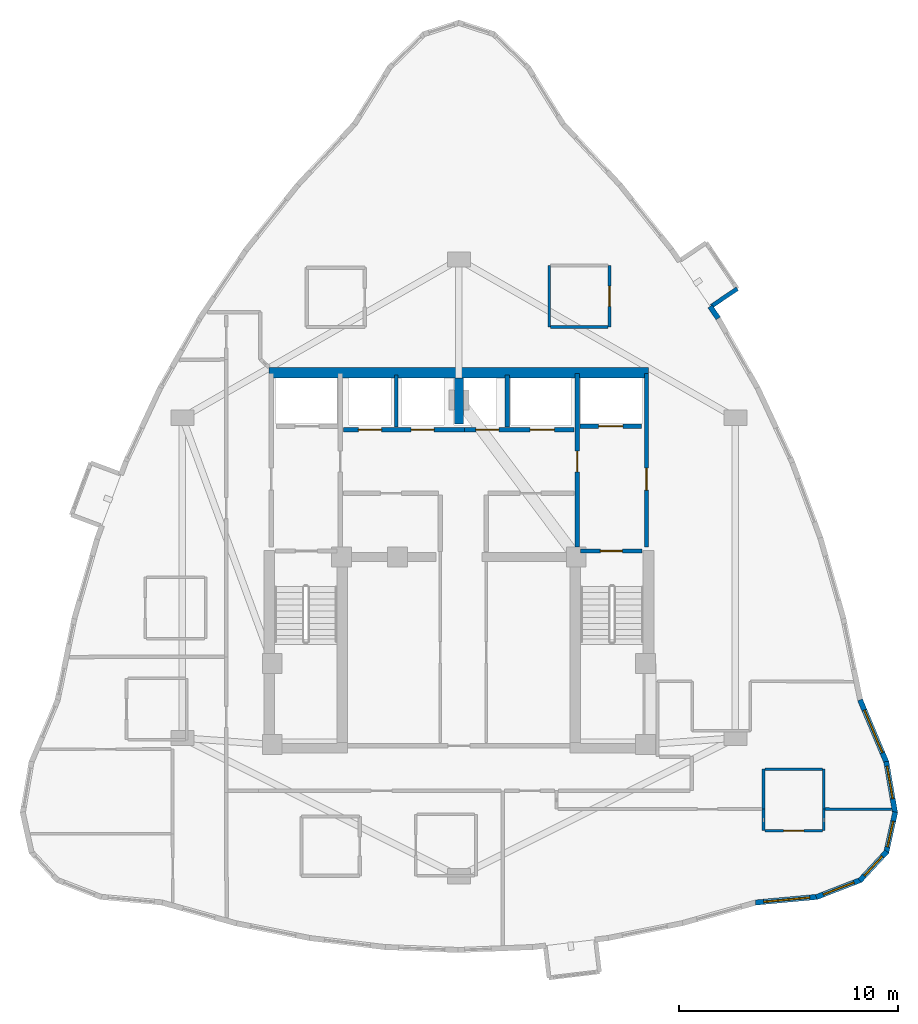
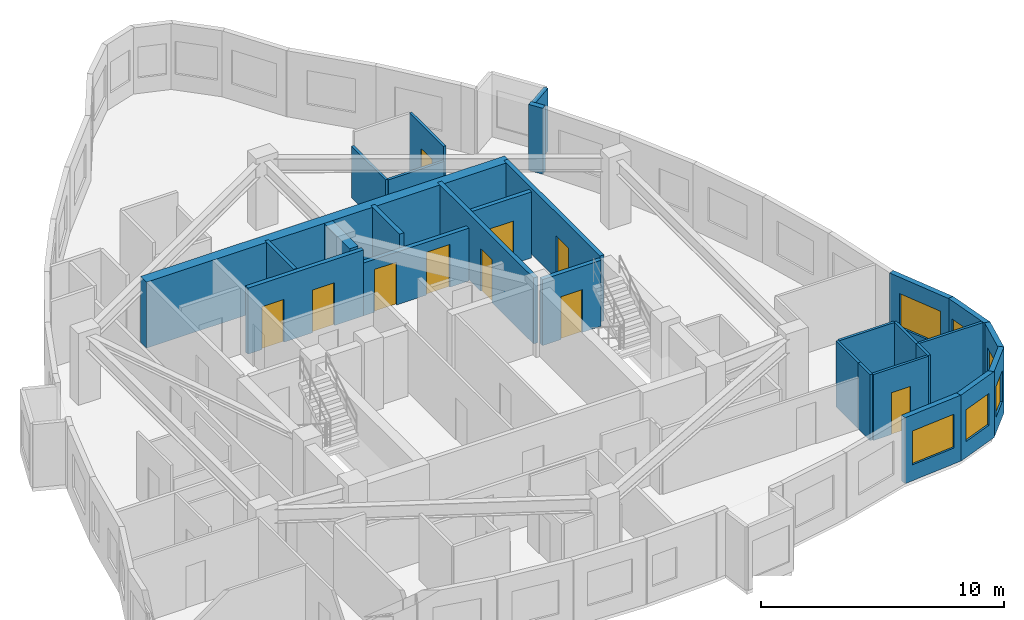
# One storey, part 9 of 12: 28 walls, 10 doors, 6 windows, 16 openings.
"""IFC4 building model written with IfcOpenShell, lengths in metres."""

import ifcopenshell
import ifcopenshell.guid

model = None  # the IFC model being written
_history = None  # IfcOwnerHistory: only IFC2X3 demands one
_inside = {}  # id of a spatial element -> (the spatial element, [elements in it])
_under = {}  # id of a project, library or spatial element -> (it, [spatial elements below it])
_declared = {}  # id of a project -> (the project, [libraries it declares])
_typed = {}  # id of a type object -> (the type object, [elements of that type])
_made_of = {}  # id of a material, layer set ... -> (it, [elements and type objects made of it])


def new_model(schema):
    """Start an empty IFC model of exactly this schema.

    Asked for "IFC4X3", IfcOpenShell would pick the latest addendum, in which some entities
    have other attributes; the version numbers below select the first issue.
    IFC2X3 requires an IfcOwnerHistory on every rooted entity: one is made here for all.
    """
    global model, _history
    if schema == "IFC4X3":
        model = ifcopenshell.file(schema_version=(4, 3, 0, 0))
    else:
        model = ifcopenshell.file(schema=schema)
    _inside.clear()
    _under.clear()
    _declared.clear()
    _typed.clear()
    _made_of.clear()
    _history = None
    if model.schema == "IFC2X3":
        org = make("IfcOrganization", Name="unknown")
        user = make(
            "IfcPersonAndOrganization",
            ThePerson=make("IfcPerson", FamilyName="unknown"),
            TheOrganization=org,
        )
        app = make(
            "IfcApplication",
            ApplicationDeveloper=org,
            Version="unknown",
            ApplicationFullName="unknown",
            ApplicationIdentifier="unknown",
        )
        _history = make(
            "IfcOwnerHistory",
            OwningUser=user,
            OwningApplication=app,
            ChangeAction="ADDED",
            CreationDate=0,
        )
    return model


def make(cls, **values):
    """One entity of the class cls with the attributes given. An attribute that is None is left unset."""
    return model.create_entity(
        cls, **{name: value for name, value in values.items() if value is not None}
    )


def rooted(cls, **values):
    """An entity with a GlobalId (a new one), such as an element, a storey or a relation."""
    return make(cls, GlobalId=ifcopenshell.guid.new(), OwnerHistory=_history, **values)


def si_unit(unit_type, name, prefix=None):
    """IfcSIUnit, for example si_unit("LENGTHUNIT", "METRE", prefix="MILLI")."""
    return make("IfcSIUnit", UnitType=unit_type, Prefix=prefix, Name=name)


def assignment(units):
    """IfcUnitAssignment: the units of a project."""
    return None if units is None else make("IfcUnitAssignment", Units=units)


def point(xyz):
    """IfcCartesianPoint."""
    return None if xyz is None else make("IfcCartesianPoint", Coordinates=xyz)


def direction(xyz):
    """IfcDirection."""
    return None if xyz is None else make("IfcDirection", DirectionRatios=xyz)


def frame(location, z_axis=None, x_axis=None):
    """IfcAxis2Placement3D, a coordinate frame: its origin and axes. An axis left out is left unset."""
    return make(
        "IfcAxis2Placement3D",
        Location=point(location),
        Axis=direction(z_axis),
        RefDirection=direction(x_axis),
    )


def frame_2d(location, x_axis=None):
    """IfcAxis2Placement2D, a coordinate frame in the plane: its origin and x axis."""
    return make(
        "IfcAxis2Placement2D", Location=point(location), RefDirection=direction(x_axis)
    )


def origin():
    """The frame at (0, 0, 0) with its axes left unset."""
    return frame((0.0, 0.0, 0.0))


def place(relative_to, where):
    """IfcLocalPlacement: puts the frame where relative to a parent placement (None: the world)."""
    return make(
        "IfcLocalPlacement", PlacementRelTo=relative_to, RelativePlacement=where
    )


def context(
    kind, dimensions, precision=None, world=None, true_north=None, identifier=None
):
    """IfcGeometricRepresentationContext, for example the 3D "Model" context."""
    return make(
        "IfcGeometricRepresentationContext",
        ContextIdentifier=identifier,
        ContextType=kind,
        CoordinateSpaceDimension=dimensions,
        Precision=precision,
        WorldCoordinateSystem=world,
        TrueNorth=true_north,
    )


def subcontext(parent, identifier, kind, view, scale=None):
    """IfcGeometricRepresentationSubContext, for example "Body" below "Model"."""
    return make(
        "IfcGeometricRepresentationSubContext",
        ContextIdentifier=identifier,
        ContextType=kind,
        ParentContext=parent,
        TargetScale=scale,
        TargetView=view,
    )


def project(units=None, contexts=None):
    """IfcProject with its units and contexts."""
    return rooted(
        "IfcProject",
        Name="project",
        RepresentationContexts=contexts,
        UnitsInContext=assignment(units),
    )


def spatial(cls, under=None, at=None, **own):
    """A site, building, storey or space (cls), placed at a placement, below another one or the project."""
    s = rooted(cls, ObjectPlacement=at, **own)
    if under is not None:
        _under.setdefault(under.id(), (under, []))[1].append(s)
    return s


def profile(cls, at=None, kind="AREA", **sizes):
    """A parametric profile (cls). Its sizes go by their IFC names, for example OverallWidth=200.0."""
    return make(cls, ProfileType=kind, Position=at, **sizes)


def rectangle(**sizes):
    """IfcRectangleProfileDef."""
    return profile("IfcRectangleProfileDef", **sizes)


def extrude(swept, where, along, depth):
    """IfcExtrudedAreaSolid: the profile swept, set in the frame where, extruded along a direction by depth."""
    return make(
        "IfcExtrudedAreaSolid",
        SweptArea=swept,
        Position=where,
        ExtrudedDirection=direction(along),
        Depth=depth,
    )


def shape(context_of_items, identifier, shape_type, items):
    """IfcShapeRepresentation: the items that make up one representation, for example the "Body"."""
    return make(
        "IfcShapeRepresentation",
        ContextOfItems=context_of_items,
        RepresentationIdentifier=identifier,
        RepresentationType=shape_type,
        Items=items,
    )


def material(Name=None, Category=None):
    """IfcMaterial."""
    return make("IfcMaterial", Name=Name, Category=Category)


def layer(
    of_material, thickness, ventilated=None, Name=None, Category=None, Priority=None
):
    """IfcMaterialLayer: one layer of a wall or slab, of a material (None: an air gap)."""
    return make(
        "IfcMaterialLayer",
        Material=of_material,
        LayerThickness=thickness,
        IsVentilated=ventilated,
        Name=Name,
        Category=Category,
        Priority=Priority,
    )


def layer_set(layers, Name=None):
    """IfcMaterialLayerSet."""
    return make("IfcMaterialLayerSet", MaterialLayers=layers, LayerSetName=Name)


def made_of(thing, what):
    """Note that an element or type object is made of a material, layer set ...; save() writes the relation."""
    if what is not None:
        _made_of.setdefault(what.id(), (what, []))[1].append(thing)
    return thing


def type_object(cls, material=None, **own):
    """A type object (cls), such as IfcWallType, which elements share."""
    return made_of(rooted(cls, **own), material)


def element(
    cls,
    number,
    at=None,
    inside=None,
    cuts=None,
    type_object=None,
    material=None,
    context=None,
    identifier="Body",
    shape_type=None,
    held_by="IfcProductDefinitionShape",
    body=None,
    shapes=None,
    **own,
):
    """One element of the class cls, such as IfcWall. Its Tag is "e" and its number.

    at: its placement. inside: the storey or other place that contains it. cuts: it is an
    opening in that element (IfcRelVoidsElement). A single representation is given by context,
    identifier, shape_type and body (its items); several are given by shapes. held_by: the class
    of the entity that holds the representations. save() writes the other relations.
    """
    e = rooted(cls, Tag="e%d" % number, ObjectPlacement=at, **own)
    if body is not None:
        shapes = [shape(context, identifier, shape_type, body)]
    if shapes is not None:
        e.Representation = make(held_by, Representations=shapes)
    if inside is not None:
        _inside.setdefault(inside.id(), (inside, []))[1].append(e)
    if cuts is not None:
        rooted(
            "IfcRelVoidsElement", RelatingBuildingElement=cuts, RelatedOpeningElement=e
        )
    if type_object is not None:
        _typed.setdefault(type_object.id(), (type_object, []))[1].append(e)
    return made_of(e, material)


def fill(opening, filler):
    """IfcRelFillsElement: the door or window that sits in an opening."""
    return rooted(
        "IfcRelFillsElement",
        RelatingOpeningElement=opening,
        RelatedBuildingElement=filler,
    )


def aggregate(whole, parts):
    """IfcRelAggregates: a whole, such as a stair, and the parts it consists of."""
    return rooted("IfcRelAggregates", RelatingObject=whole, RelatedObjects=parts)


def save(model, path):
    """Write the relations noted so far, then the file.

    IfcRelAggregates (storeys below a building ...), IfcRelContainedInSpatialStructure (elements
    in a storey), IfcRelDefinesByType, IfcRelAssociatesMaterial and IfcRelDeclares: one each for
    every whole, place, type object, material and project.
    """
    for whole, parts in _under.values():
        aggregate(whole, parts)
    for where, things in _inside.values():
        rooted(
            "IfcRelContainedInSpatialStructure",
            RelatedElements=things,
            RelatingStructure=where,
        )
    for kind, things in _typed.values():
        rooted("IfcRelDefinesByType", RelatedObjects=things, RelatingType=kind)
    for what, things in _made_of.values():
        rooted("IfcRelAssociatesMaterial", RelatedObjects=things, RelatingMaterial=what)
    for by, libraries in _declared.values():
        rooted("IfcRelDeclares", RelatingContext=by, RelatedDefinitions=libraries)
    model.write(path)


model = new_model("IFC4")

# Units and contexts
model_context = context("Model", 3, precision=1e-05, world=origin(), true_north=direction((0.0, 1.0)))
body_context = subcontext(model_context, "Body", "Model", "MODEL_VIEW")
ifc_project = project(units=[si_unit("LENGTHUNIT", "METRE"), si_unit("AREAUNIT", "SQUARE_METRE"), si_unit("VOLUMEUNIT", "CUBIC_METRE"), si_unit("PLANEANGLEUNIT", "RADIAN"), si_unit("MASSUNIT", "GRAM", prefix="KILO")], contexts=[model_context])

# Site, building, storey
site_placement = place(None, origin())
site = spatial("IfcSite", under=ifc_project, at=site_placement, CompositionType="ELEMENT")
building_placement = place(site_placement, origin())
building = spatial("IfcBuilding", under=site, at=building_placement, Name="Miruveldt Soraemaru", CompositionType="ELEMENT")
storey_placement = place(building_placement, frame((0.0, 0.0, 248.39990234375)))
storey = spatial("IfcBuildingStorey", under=building, at=storey_placement, Name="L68", CompositionType="ELEMENT", Elevation=248.39990234375)

# Walls
ifc_material_1 = material(Name="White powder-coated aluminium EN AW-6060 T6", Category="aluminium")
ifc_layer_1 = layer(ifc_material_1, 0.18994140625, Name="White powder-coated aluminium EN AW-6060 T6", Category="aluminium")
ifc_layer_set_1 = layer_set([ifc_layer_1], Name="White powder-coated aluminium EN AW-6060 T6")
wall_type_1 = type_object("IfcWallType", Name="WALL-BAY-ALU190", PredefinedType="SOLIDWALL", material=ifc_layer_set_1)
wall_1_placement = place(storey_placement, frame((55.50732421875, 55.473876953125, 0.0), z_axis=(0.0, 0.0, 1.0), x_axis=(0.82794178844, 0.560814046681, 0.0)))
element("IfcWall", 1, at=wall_1_placement, inside=storey, type_object=wall_type_1, Name="L68 Bay Window Side Cheek 2L", PredefinedType="SOLIDWALL", context=body_context, shape_type="SweptSolid", body=[
    extrude(rectangle(XDim=1.4248046875, YDim=0.18994140625, at=frame_2d((0.71240234375, 0.0))), origin(), (0.0, 0.0, 1.0), 3.1650390625),
])
ifc_material_2 = material(Name="Concrete C70/85 (70 MPa)", Category="concrete")
ifc_layer_2 = layer(ifc_material_2, 0.5, Name="Concrete C70/85 (70 MPa)", Category="concrete")
ifc_layer_set_2 = layer_set([ifc_layer_2], Name="Concrete C70/85 (70 MPa)")
wall_type_2 = type_object("IfcWallType", Name="WALL-BW-500", PredefinedType="SHEAR", material=ifc_layer_set_2)
wall_2_placement = place(storey_placement, frame((44.0, 50.10009765625, 0.0), z_axis=(0.0, 0.0, 1.0), x_axis=(0.0, 1.0, 0.0)))
element("IfcWall", 2, at=wall_2_placement, inside=storey, type_object=wall_type_2, Name="L68 Core Buttress Shear Wall BN", PredefinedType="SHEAR", context=body_context, shape_type="SweptSolid", body=[
    extrude(rectangle(XDim=2.099853515625, YDim=0.39990234375, at=frame_2d((1.0498046875, 0.0))), origin(), (0.0, 0.0, 1.0), 3.315185546875),
])
ifc_material_3 = material(Name="Concrete C60/75 (60 MPa)", Category="concrete")
ifc_layer_3 = layer(ifc_material_3, 0.47998046875, Name="Concrete C60/75 (60 MPa)", Category="concrete")
ifc_layer_set_3 = layer_set([ifc_layer_3], Name="Concrete C60/75 (60 MPa)")
wall_type_3 = type_object("IfcWallType", Name="WALL-CW-480", PredefinedType="SHEAR", material=ifc_layer_set_3)
wall_3_placement = place(storey_placement, frame((35.35009765625, 52.449951171875, 0.0), z_axis=(0.0, 0.0, 1.0), x_axis=(1.0, 0.0, 0.0)))
element("IfcWall", 3, at=wall_3_placement, inside=storey, type_object=wall_type_3, Name="L68 Central Core Shear Wall N", PredefinedType="SHEAR", context=body_context, shape_type="SweptSolid", body=[
    extrude(rectangle(XDim=17.2998046875, YDim=0.47998046875, at=frame_2d((8.64990234375, 0.0))), origin(), (0.0, 0.0, 1.0), 3.315185546875),
])

# Wall, opening, window
ifc_material_4 = material(Name="Precast concrete C45/55 (45 MPa)", Category="concrete")
ifc_layer_4 = layer(ifc_material_4, 0.239990234375, Name="Precast concrete C45/55 (45 MPa)", Category="concrete")
ifc_layer_set_4 = layer_set([ifc_layer_4], Name="Precast concrete C45/55 (45 MPa)")
wall_type_4 = type_object("IfcWallType", Name="WALL-EXT-PC240", PredefinedType="SOLIDWALL", material=ifc_layer_set_4)
wall_4_placement = place(storey_placement, frame((57.514892578125, 28.30078125, 0.0), z_axis=(0.0, 0.0, 1.0), x_axis=(0.995763661797, 0.091949604915, 0.0)))
wall_4 = element("IfcWall", 4, at=wall_4_placement, inside=storey, type_object=wall_type_4, Name="L68 Precast Concrete Facade Wall 29", PredefinedType="SOLIDWALL", context=body_context, shape_type="SweptSolid", body=[
    extrude(rectangle(XDim=2.848876953125, YDim=0.239990234375, at=frame_2d((1.42431640625, 0.0))), origin(), (0.0, 0.0, 1.0), 3.315185546875),
])
opening_1_placement = place(wall_4_placement, frame((0.375, 0.0, 0.800048828125)))
opening_1 = element("IfcOpeningElement", 5, at=opening_1_placement, cuts=wall_4, Name="Opening WN-1", PredefinedType="OPENING", context=body_context, shape_type="SweptSolid", body=[
    extrude(rectangle(XDim=2.10009765625, YDim=1.699951171875, at=frame_2d((1.050048828125, 0.85009765625))), frame((0.0, 0.1298828125, 0.0), z_axis=(0.0, -1.0, 0.0), x_axis=(1.0, 0.0, 0.0)), (0.0, 0.0, 1.0), 0.260009765625),
])
ifc_material_5 = material(Name="Triple low-e insulated glazing", Category="glass")
window_type_1 = type_object("IfcWindowType", Name="WIN-PUNCH-2100x1700", PartitioningType="SINGLE_PANEL", PredefinedType="WINDOW", material=ifc_material_5)
window_1_placement = place(opening_1_placement, origin())
window_1 = element("IfcWindow", 6, at=window_1_placement, inside=storey, type_object=window_type_1, Name="L68 Punched Triple-Glazed Window 29.1", OverallHeight=1.699951171875, OverallWidth=2.10009765625, PartitioningType="SINGLE_PANEL", PredefinedType="WINDOW", context=body_context, shape_type="SweptSolid", body=[
    extrude(rectangle(XDim=2.10009765625, YDim=1.699951171875, at=frame_2d((1.050048828125, 0.85009765625))), frame((0.0, 0.030029296875, 0.0), z_axis=(0.0, -1.0, 0.0), x_axis=(1.0, 0.0, 0.0)), (0.0, 0.0, 1.0), 0.06005859375),
])
fill(opening_1, window_1)

wall_5_placement = place(storey_placement, frame((60.2841796875, 28.546875, 0.0), z_axis=(0.0, 0.0, 1.0), x_axis=(0.932263874354, 0.361779032801, 0.0)))
wall_5 = element("IfcWall", 7, at=wall_5_placement, inside=storey, type_object=wall_type_4, Name="L68 Precast Concrete Facade Wall 30", PredefinedType="SOLIDWALL", context=body_context, shape_type="SweptSolid", body=[
    extrude(rectangle(XDim=2.18994140625, YDim=0.239990234375, at=frame_2d((1.094970703125, 0.0))), origin(), (0.0, 0.0, 1.0), 3.315185546875),
])
opening_2_placement = place(wall_5_placement, frame((0.344970703125, 0.0, 0.800048828125)))
opening_2 = element("IfcOpeningElement", 8, at=opening_2_placement, cuts=wall_5, Name="Opening WN-3", PredefinedType="OPENING", context=body_context, shape_type="SweptSolid", body=[
    extrude(rectangle(XDim=1.5, YDim=1.60009765625, at=frame_2d((0.75, 0.800048828125))), frame((0.0, 0.1298828125, 0.0), z_axis=(0.0, -1.0, 0.0), x_axis=(1.0, 0.0, 0.0)), (0.0, 0.0, 1.0), 0.260009765625),
])
window_type_2 = type_object("IfcWindowType", Name="WIN-PUNCH-1500x1600", PartitioningType="SINGLE_PANEL", PredefinedType="WINDOW", material=ifc_material_5)
window_2_placement = place(opening_2_placement, origin())
window_2 = element("IfcWindow", 9, at=window_2_placement, inside=storey, type_object=window_type_2, Name="L68 Punched Triple-Glazed Window 30.1", OverallHeight=1.60009765625, OverallWidth=1.5, PartitioningType="SINGLE_PANEL", PredefinedType="WINDOW", context=body_context, shape_type="SweptSolid", body=[
    extrude(rectangle(XDim=1.5, YDim=1.60009765625, at=frame_2d((0.75, 0.800048828125))), frame((0.0, 0.030029296875, 0.0), z_axis=(0.0, -1.0, 0.0), x_axis=(1.0, 0.0, 0.0)), (0.0, 0.0, 1.0), 0.06005859375),
])
fill(opening_2, window_2)

wall_6_placement = place(storey_placement, frame((62.269287109375, 29.30078125, 0.0), z_axis=(0.0, 0.0, 1.0), x_axis=(0.680223831063, 0.733004460869, 0.0)))
wall_6 = element("IfcWall", 10, at=wall_6_placement, inside=storey, type_object=wall_type_4, Name="L68 Precast Concrete Facade Wall 31", PredefinedType="SOLIDWALL", context=body_context, shape_type="SweptSolid", body=[
    extrude(rectangle(XDim=1.813232421875, YDim=0.239990234375, at=frame_2d((0.90673828125, 0.0))), origin(), (0.0, 0.0, 1.0), 3.315185546875),
])
opening_3_placement = place(wall_6_placement, frame((0.305908203125, 0.0, 0.780029296875)))
opening_3 = element("IfcOpeningElement", 11, at=opening_3_placement, cuts=wall_6, Name="Opening WN-4", PredefinedType="OPENING", context=body_context, shape_type="SweptSolid", body=[
    extrude(rectangle(XDim=1.199951171875, YDim=1.550048828125, at=frame_2d((0.60009765625, 0.77490234375))), frame((0.0, 0.1298828125, 0.0), z_axis=(0.0, -1.0, 0.0), x_axis=(1.0, 0.0, 0.0)), (0.0, 0.0, 1.0), 0.260009765625),
])
window_type_3 = type_object("IfcWindowType", Name="WIN-PUNCH-1200x1550", PartitioningType="SINGLE_PANEL", PredefinedType="WINDOW", material=ifc_material_5)
window_3_placement = place(opening_3_placement, origin())
window_3 = element("IfcWindow", 12, at=window_3_placement, inside=storey, type_object=window_type_3, Name="L68 Punched Triple-Glazed Window 31.1", OverallHeight=1.550048828125, OverallWidth=1.199951171875, PartitioningType="SINGLE_PANEL", PredefinedType="WINDOW", context=body_context, shape_type="SweptSolid", body=[
    extrude(rectangle(XDim=1.199951171875, YDim=1.550048828125, at=frame_2d((0.60009765625, 0.77490234375))), frame((0.0, 0.030029296875, 0.0), z_axis=(0.0, -1.0, 0.0), x_axis=(1.0, 0.0, 0.0)), (0.0, 0.0, 1.0), 0.06005859375),
])
fill(opening_3, window_3)

wall_7_placement = place(storey_placement, frame((63.47119140625, 30.570068359375, 0.0), z_axis=(0.0, 0.0, 1.0), x_axis=(0.215870380253, 0.976422029109, 0.0)))
wall_7 = element("IfcWall", 13, at=wall_7_placement, inside=storey, type_object=wall_type_4, Name="L68 Precast Concrete Facade Wall 32", PredefinedType="SOLIDWALL", context=body_context, shape_type="SweptSolid", body=[
    extrude(rectangle(XDim=1.90234375, YDim=0.239990234375, at=frame_2d((0.951171875, 0.0))), origin(), (0.0, 0.0, 1.0), 3.315185546875),
])
opening_4_placement = place(wall_7_placement, frame((0.27392578125, 0.0, 0.780029296875)))
opening_4 = element("IfcOpeningElement", 14, at=opening_4_placement, cuts=wall_7, Name="Opening WN-4", PredefinedType="OPENING", context=body_context, shape_type="SweptSolid", body=[
    extrude(rectangle(XDim=1.199951171875, YDim=1.550048828125, at=frame_2d((0.60009765625, 0.77490234375))), frame((0.0, 0.1298828125, 0.0), z_axis=(0.0, -1.0, 0.0), x_axis=(1.0, 0.0, 0.0)), (0.0, 0.0, 1.0), 0.260009765625),
])
window_4_placement = place(opening_4_placement, origin())
window_4 = element("IfcWindow", 15, at=window_4_placement, inside=storey, type_object=window_type_3, Name="L68 Punched Triple-Glazed Window 32.1", OverallHeight=1.550048828125, OverallWidth=1.199951171875, PartitioningType="SINGLE_PANEL", PredefinedType="WINDOW", context=body_context, shape_type="SweptSolid", body=[
    extrude(rectangle(XDim=1.199951171875, YDim=1.550048828125, at=frame_2d((0.60009765625, 0.77490234375))), frame((0.0, 0.030029296875, 0.0), z_axis=(0.0, -1.0, 0.0), x_axis=(1.0, 0.0, 0.0)), (0.0, 0.0, 1.0), 0.06005859375),
])
fill(opening_4, window_4)

wall_8_placement = place(storey_placement, frame((63.880126953125, 32.35888671875, 0.0), z_axis=(0.0, 0.0, 1.0), x_axis=(-0.169386591994, 0.985549685431, 0.0)))
wall_8 = element("IfcWall", 16, at=wall_8_placement, inside=storey, type_object=wall_type_4, Name="L68 Precast Concrete Facade Wall 33", PredefinedType="SOLIDWALL", context=body_context, shape_type="SweptSolid", body=[
    extrude(rectangle(XDim=2.404052734375, YDim=0.239990234375, at=frame_2d((1.2021484375, 0.0))), origin(), (0.0, 0.0, 1.0), 3.315185546875),
])
opening_5_placement = place(wall_8_placement, frame((0.681884765625, 0.0, 0.800048828125)))
opening_5 = element("IfcOpeningElement", 17, at=opening_5_placement, cuts=wall_8, Name="Opening WN-3", PredefinedType="OPENING", context=body_context, shape_type="SweptSolid", body=[
    extrude(rectangle(XDim=1.5, YDim=1.60009765625, at=frame_2d((0.75, 0.800048828125))), frame((0.0, 0.1298828125, 0.0), z_axis=(0.0, -1.0, 0.0), x_axis=(1.0, 0.0, 0.0)), (0.0, 0.0, 1.0), 0.260009765625),
])
window_5_placement = place(opening_5_placement, origin())
window_5 = element("IfcWindow", 18, at=window_5_placement, inside=storey, type_object=window_type_2, Name="L68 Punched Triple-Glazed Window 33.1", OverallHeight=1.60009765625, OverallWidth=1.5, PartitioningType="SINGLE_PANEL", PredefinedType="WINDOW", context=body_context, shape_type="SweptSolid", body=[
    extrude(rectangle(XDim=1.5, YDim=1.60009765625, at=frame_2d((0.75, 0.800048828125))), frame((0.0, 0.030029296875, 0.0), z_axis=(0.0, -1.0, 0.0), x_axis=(1.0, 0.0, 0.0)), (0.0, 0.0, 1.0), 0.06005859375),
])
fill(opening_5, window_5)

wall_9_placement = place(storey_placement, frame((63.492431640625, 34.66162109375, 0.0), z_axis=(0.0, 0.0, 1.0), x_axis=(-0.388588451794, 0.921411425549, 0.0)))
wall_9 = element("IfcWall", 19, at=wall_9_placement, inside=storey, type_object=wall_type_4, Name="L68 Precast Concrete Facade Wall 34", PredefinedType="SOLIDWALL", context=body_context, shape_type="SweptSolid", body=[
    extrude(rectangle(XDim=3.121337890625, YDim=0.239990234375, at=frame_2d((1.560546875, 0.0))), origin(), (0.0, 0.0, 1.0), 3.315185546875),
])
opening_6_placement = place(wall_9_placement, frame((0.510009765625, 0.0, 0.800048828125)))
opening_6 = element("IfcOpeningElement", 20, at=opening_6_placement, cuts=wall_9, Name="Opening WN-1", PredefinedType="OPENING", context=body_context, shape_type="SweptSolid", body=[
    extrude(rectangle(XDim=2.10009765625, YDim=1.699951171875, at=frame_2d((1.050048828125, 0.85009765625))), frame((0.0, 0.1298828125, 0.0), z_axis=(0.0, -1.0, 0.0), x_axis=(1.0, 0.0, 0.0)), (0.0, 0.0, 1.0), 0.260009765625),
])
window_6_placement = place(opening_6_placement, origin())
window_6 = element("IfcWindow", 21, at=window_6_placement, inside=storey, type_object=window_type_1, Name="L68 Punched Triple-Glazed Window 34.1", OverallHeight=1.699951171875, OverallWidth=2.10009765625, PartitioningType="SINGLE_PANEL", PredefinedType="WINDOW", context=body_context, shape_type="SweptSolid", body=[
    extrude(rectangle(XDim=2.10009765625, YDim=1.699951171875, at=frame_2d((1.050048828125, 0.85009765625))), frame((0.0, 0.030029296875, 0.0), z_axis=(0.0, -1.0, 0.0), x_axis=(1.0, 0.0, 0.0)), (0.0, 0.0, 1.0), 0.06005859375),
])
fill(opening_6, window_6)

# Wall
wall_10_placement = place(storey_placement, frame((55.8154296875, 54.9208984375, 0.0), z_axis=(0.0, 0.0, 1.0), x_axis=(-0.560741889202, 0.827990660391, 0.0)))
element("IfcWall", 22, at=wall_10_placement, inside=storey, type_object=wall_type_4, Name="L68 Precast Pier Wall 40A", PredefinedType="SOLIDWALL", context=body_context, shape_type="SweptSolid", body=[
    extrude(rectangle(XDim=0.660400390625, YDim=0.239990234375, at=frame_2d((0.330078125, 0.0))), origin(), (0.0, 0.0, 1.0), 3.315185546875),
])

# Wall, opening, door
ifc_material_6 = material(Name="Gypsum plasterboard lining", Category="gypsum")
ifc_layer_5 = layer(ifc_material_6, 0.1201171875, Name="Gypsum plasterboard lining", Category="gypsum")
ifc_layer_set_5 = layer_set([ifc_layer_5], Name="Gypsum plasterboard lining")
wall_type_5 = type_object("IfcWallType", Name="WALL-INT-P120", PredefinedType="PARTITIONING", material=ifc_layer_set_5)
wall_11_placement = place(storey_placement, frame((50.862060546875, 54.530029296875, 0.0), z_axis=(0.0, 0.0, 1.0), x_axis=(0.0, 1.0, 0.0)))
wall_11 = element("IfcWall", 23, at=wall_11_placement, inside=storey, type_object=wall_type_5, Name="L68 Partition Wall 16", PredefinedType="PARTITIONING", context=body_context, shape_type="SweptSolid", body=[
    extrude(rectangle(XDim=2.800048828125, YDim=0.1201171875, at=frame_2d((1.39990234375, 0.0))), origin(), (0.0, 0.0, 1.0), 3.315185546875),
])
opening_7_placement = place(wall_11_placement, frame((0.93994140625, 0.0, 0.0)))
opening_7 = element("IfcOpeningElement", 24, at=opening_7_placement, cuts=wall_11, Name="Opening D3A", PredefinedType="OPENING", context=body_context, shape_type="SweptSolid", body=[
    extrude(rectangle(XDim=0.919921875, YDim=2.10009765625, at=frame_2d((0.4599609375, 1.050048828125))), frame((0.0, 0.070068359375, 0.0), z_axis=(0.0, -1.0, 0.0), x_axis=(1.0, 0.0, 0.0)), (0.0, 0.0, 1.0), 0.14013671875),
])
ifc_material_7 = material(Name="Anodised aluminium EN AW-6063 T6", Category="aluminium")
door_type_1 = type_object("IfcDoorType", Name="DOOR-INT-920", OperationType="NOTDEFINED", PredefinedType="DOOR", material=ifc_material_7)
door_1_placement = place(opening_7_placement, origin())
door_1 = element("IfcDoor", 25, at=door_1_placement, inside=storey, type_object=door_type_1, Name="L68 Unit CL01 KIT Door", OperationType="SINGLE_SWING_RIGHT", OverallHeight=2.10009765625, OverallWidth=0.919921875, PredefinedType="DOOR", context=body_context, shape_type="SweptSolid", body=[
    extrude(rectangle(XDim=0.919921875, YDim=2.10009765625, at=frame_2d((0.4599609375, 1.050048828125))), frame((0.0, 0.02490234375, 0.0), z_axis=(0.0, -1.0, 0.0), x_axis=(1.0, 0.0, 0.0)), (0.0, 0.0, 1.0), 0.050048828125),
])
fill(opening_7, door_1)

wall_12_placement = place(storey_placement, frame((57.93994140625, 31.577880859375, 0.0), z_axis=(0.0, 0.0, 1.0), x_axis=(1.0, 0.0, 0.0)))
wall_12 = element("IfcWall", 26, at=wall_12_placement, inside=storey, type_object=wall_type_5, Name="L68 Partition Wall 46", PredefinedType="PARTITIONING", context=body_context, shape_type="SweptSolid", body=[
    extrude(rectangle(XDim=2.630126953125, YDim=0.1201171875, at=frame_2d((1.31494140625, 0.0))), origin(), (0.0, 0.0, 1.0), 3.315185546875),
])
opening_8_placement = place(wall_12_placement, frame((0.85498046875, 0.0, 0.0)))
opening_8 = element("IfcOpeningElement", 27, at=opening_8_placement, cuts=wall_12, Name="Opening D3A", PredefinedType="OPENING", context=body_context, shape_type="SweptSolid", body=[
    extrude(rectangle(XDim=0.919921875, YDim=2.10009765625, at=frame_2d((0.4599609375, 1.050048828125))), frame((0.0, 0.070068359375, 0.0), z_axis=(0.0, -1.0, 0.0), x_axis=(1.0, 0.0, 0.0)), (0.0, 0.0, 1.0), 0.14013671875),
])
door_2_placement = place(opening_8_placement, origin())
door_2 = element("IfcDoor", 28, at=door_2_placement, inside=storey, type_object=door_type_1, Name="L68 Unit 6805 KIT Door", OperationType="SINGLE_SWING_LEFT", OverallHeight=2.10009765625, OverallWidth=0.919921875, PredefinedType="DOOR", context=body_context, shape_type="SweptSolid", body=[
    extrude(rectangle(XDim=0.919921875, YDim=2.10009765625, at=frame_2d((0.4599609375, 1.050048828125))), frame((0.0, 0.02490234375, 0.0), z_axis=(0.0, -1.0, 0.0), x_axis=(1.0, 0.0, 0.0)), (0.0, 0.0, 1.0), 0.050048828125),
])
fill(opening_8, door_2)

# Walls
wall_13_placement = place(storey_placement, frame((63.7099609375, 32.552978515625, 0.0), z_axis=(0.0, 0.0, 1.0), x_axis=(-0.999995526668, 0.002991094138, 0.0)))
element("IfcWall", 29, at=wall_13_placement, inside=storey, type_object=wall_type_5, Name="L68 Partition Wall 47", PredefinedType="PARTITIONING", context=body_context, shape_type="SweptSolid", body=[
    extrude(rectangle(XDim=3.02001953125, YDim=0.1201171875, at=frame_2d((1.510009765625, 0.0))), origin(), (0.0, 0.0, 1.0), 3.315185546875),
])
wall_14_placement = place(storey_placement, frame((48.112060546875, 57.330078125, 0.0), z_axis=(0.0, 0.0, 1.0), x_axis=(0.0, -1.0, 0.0)))
element("IfcWall", 30, at=wall_14_placement, inside=storey, type_object=wall_type_5, Name="L68 Partition Wall 18", PredefinedType="PARTITIONING", context=body_context, shape_type="SweptSolid", body=[
    extrude(rectangle(XDim=2.800048828125, YDim=0.1201171875, at=frame_2d((1.39990234375, 0.0))), origin(), (0.0, 0.0, 1.0), 2.60302734375),
])
wall_15_placement = place(storey_placement, frame((48.172119140625, 54.530029296875, 0.0), z_axis=(0.0, 0.0, 1.0), x_axis=(1.0, 0.0, 0.0)))
element("IfcWall", 31, at=wall_15_placement, inside=storey, type_object=wall_type_5, Name="L68 Partition Wall 19", PredefinedType="PARTITIONING", context=body_context, shape_type="SweptSolid", body=[
    extrude(rectangle(XDim=2.6298828125, YDim=0.1201171875, at=frame_2d((1.31494140625, 0.0))), origin(), (0.0, 0.0, 1.0), 2.60302734375),
])
wall_16_placement = place(storey_placement, frame((60.570068359375, 34.3779296875, 0.0), z_axis=(0.0, 0.0, 1.0), x_axis=(-1.0, 0.0, 0.0)))
element("IfcWall", 32, at=wall_16_placement, inside=storey, type_object=wall_type_5, Name="L68 Partition Wall 51", PredefinedType="PARTITIONING", context=body_context, shape_type="SweptSolid", body=[
    extrude(rectangle(XDim=2.630126953125, YDim=0.1201171875, at=frame_2d((1.31494140625, 0.0))), origin(), (0.0, 0.0, 1.0), 3.315185546875),
])
for number, where, z_axis, x_axis, name in (
    (33, (60.6298828125, 32.56201171875, 0.0), (0.0, 0.0, 1.0), (0.0, 1.0, 0.0), "L68 Partition Wall 50"),
    (34, (57.8798828125, 34.3779296875, 0.0), (0.0, 0.0, 1.0), (0.0, -1.0, 0.0), "L68 Partition Wall 52"),
):
    element("IfcWall", number, at=place(storey_placement, frame(where, z_axis=z_axis, x_axis=x_axis)), inside=storey, type_object=wall_type_5, Name=name, PredefinedType="PARTITIONING", context=body_context, shape_type="SweptSolid", body=[
        extrude(rectangle(XDim=1.81591796875, YDim=0.1201171875, at=frame_2d((0.907958984375, 0.0))), origin(), (0.0, 0.0, 1.0), 3.315185546875),
    ])
for number, where, z_axis, x_axis, name in (
    (35, (60.6298828125, 31.577880859375, 0.0), (0.0, 0.0, 1.0), (0.0, 1.0, 0.0), "L68 Partition Wall 44"),
    (36, (57.8798828125, 32.56201171875, 0.0), (0.0, 0.0, 1.0), (0.0, -1.0, 0.0), "L68 Partition Wall 45"),
):
    element("IfcWall", number, at=place(storey_placement, frame(where, z_axis=z_axis, x_axis=x_axis)), inside=storey, type_object=wall_type_5, Name=name, PredefinedType="PARTITIONING", context=body_context, shape_type="SweptSolid", body=[
        extrude(rectangle(XDim=0.984130859375, YDim=0.1201171875, at=frame_2d((0.4921875, 0.0))), origin(), (0.0, 0.0, 1.0), 3.315185546875),
    ])
ifc_material_8 = material(Name="Concrete C40/50 (40 MPa)", Category="concrete")
ifc_layer_6 = layer(ifc_material_8, 0.159912109375, Name="Concrete C40/50 (40 MPa)", Category="concrete")
ifc_layer_set_6 = layer_set([ifc_layer_6], Name="Concrete C40/50 (40 MPa)")
wall_type_6 = type_object("IfcWallType", Name="WALL-INT-RC160", PredefinedType="SOLIDWALL", material=ifc_layer_set_6)
wall_17_placement = place(storey_placement, frame((41.14990234375, 49.97998046875, 0.0), z_axis=(0.0, 0.0, 1.0), x_axis=(0.0, 1.0, 0.0)))
element("IfcWall", 37, at=wall_17_placement, inside=storey, type_object=wall_type_6, Name="L68 Core Compartment Wall PLH-DIV1", PredefinedType="SOLIDWALL", context=body_context, shape_type="SweptSolid", body=[
    extrude(rectangle(XDim=2.3701171875, YDim=0.159912109375, at=frame_2d((1.18505859375, 0.0))), origin(), (0.0, 0.0, 1.0), 3.315185546875),
])

# Wall, opening, door
ifc_layer_7 = layer(ifc_material_8, 0.199951171875, Name="Concrete C40/50 (40 MPa)", Category="concrete")
ifc_layer_set_7 = layer_set([ifc_layer_7], Name="Concrete C40/50 (40 MPa)")
wall_type_7 = type_object("IfcWallType", Name="WALL-INT-RC200", PredefinedType="SOLIDWALL", material=ifc_layer_set_7)
wall_18_placement = place(storey_placement, frame((52.550048828125, 44.5, 0.0), z_axis=(0.0, 0.0, 1.0), x_axis=(0.0, 1.0, 0.0)))
wall_18 = element("IfcWall", 38, at=wall_18_placement, inside=storey, type_object=wall_type_7, Name="L68 Core Compartment Wall FFE-OUT", PredefinedType="SOLIDWALL", context=body_context, shape_type="SweptSolid", body=[
    extrude(rectangle(XDim=7.919921875, YDim=0.199951171875, at=frame_2d((3.9599609375, 0.0))), origin(), (0.0, 0.0, 1.0), 3.315185546875),
])
opening_9_placement = place(wall_18_placement, frame((2.60009765625, 0.0, 0.0)))
opening_9 = element("IfcOpeningElement", 39, at=opening_9_placement, cuts=wall_18, Name="Opening FD1", PredefinedType="OPENING", context=body_context, shape_type="SweptSolid", body=[
    extrude(rectangle(XDim=1.0, YDim=2.14990234375, at=frame_2d((0.5, 1.074951171875))), frame((0.0, 0.10986328125, 0.0), z_axis=(0.0, -1.0, 0.0), x_axis=(1.0, 0.0, 0.0)), (0.0, 0.0, 1.0), 0.219970703125),
])
door_type_2 = type_object("IfcDoorType", Name="DOOR-FD1-1000", OperationType="NOTDEFINED", PredefinedType="DOOR", material=ifc_material_7)
door_3_placement = place(opening_9_placement, frame((1.0, 0.0, 0.0), z_axis=(0.0, 0.0, 1.0), x_axis=(-1.0, 0.0, 0.0)))
door_3 = element("IfcDoor", 40, at=door_3_placement, inside=storey, type_object=door_type_2, Name="L68 East Firefighting Lobby Exit Door", OperationType="SINGLE_SWING_RIGHT", OverallHeight=2.14990234375, OverallWidth=1.0, PredefinedType="DOOR", context=body_context, shape_type="SweptSolid", body=[
    extrude(rectangle(XDim=1.0, YDim=2.14990234375, at=frame_2d((0.5, 1.074951171875))), frame((0.0, 0.02490234375, 0.0), z_axis=(0.0, -1.0, 0.0), x_axis=(1.0, 0.0, 0.0)), (0.0, 0.0, 1.0), 0.050048828125),
])
fill(opening_9, door_3)

wall_19_placement = place(storey_placement, frame((49.39990234375, 44.5, 0.0), z_axis=(0.0, 0.0, 1.0), x_axis=(0.0, 1.0, 0.0)))
wall_19 = element("IfcWall", 41, at=wall_19_placement, inside=storey, type_object=wall_type_7, Name="L68 Core Compartment Wall FFE-IN", PredefinedType="SOLIDWALL", context=body_context, shape_type="SweptSolid", body=[
    extrude(rectangle(XDim=7.919921875, YDim=0.199951171875, at=frame_2d((3.9599609375, 0.0))), origin(), (0.0, 0.0, 1.0), 3.315185546875),
])
opening_10_placement = place(wall_19_placement, frame((3.425048828125, 0.0, 0.0)))
opening_10 = element("IfcOpeningElement", 42, at=opening_10_placement, cuts=wall_19, Name="Opening FD2", PredefinedType="OPENING", context=body_context, shape_type="SweptSolid", body=[
    extrude(rectangle(XDim=0.949951171875, YDim=2.14990234375, at=frame_2d((0.47509765625, 1.074951171875))), frame((0.0, 0.10986328125, 0.0), z_axis=(0.0, -1.0, 0.0), x_axis=(1.0, 0.0, 0.0)), (0.0, 0.0, 1.0), 0.219970703125),
])
door_type_3 = type_object("IfcDoorType", Name="DOOR-FD2-950", OperationType="NOTDEFINED", PredefinedType="DOOR", material=ifc_material_7)
door_4_placement = place(opening_10_placement, origin())
door_4 = element("IfcDoor", 43, at=door_4_placement, inside=storey, type_object=door_type_3, Name="L68 Lift Lobby to East Fire Lobby Door", OperationType="SINGLE_SWING_LEFT", OverallHeight=2.14990234375, OverallWidth=0.949951171875, PredefinedType="DOOR", context=body_context, shape_type="SweptSolid", body=[
    extrude(rectangle(XDim=0.949951171875, YDim=2.14990234375, at=frame_2d((0.47509765625, 1.074951171875))), frame((0.0, 0.02490234375, 0.0), z_axis=(0.0, -1.0, 0.0), x_axis=(1.0, 0.0, 0.0)), (0.0, 0.0, 1.0), 0.050048828125),
])
fill(opening_10, door_4)

# Wall, openings, doors
wall_20_placement = place(storey_placement, frame((38.75, 49.85009765625, 0.0), z_axis=(0.0, 0.0, 1.0), x_axis=(1.0, 0.0, 0.0)))
wall_20 = element("IfcWall", 44, at=wall_20_placement, inside=storey, type_object=wall_type_7, Name="L68 Core Compartment Wall ROWA-SW", PredefinedType="SOLIDWALL", context=body_context, shape_type="SweptSolid", body=[
    extrude(rectangle(XDim=5.5, YDim=0.199951171875, at=frame_2d((2.75, 0.0))), origin(), (0.0, 0.0, 1.0), 3.315185546875),
])
opening_11_placement = place(wall_20_placement, frame((0.675048828125, 0.0, 0.0)))
opening_11 = element("IfcOpeningElement", 45, at=opening_11_placement, cuts=wall_20, Name="Opening LD1", PredefinedType="OPENING", context=body_context, shape_type="SweptSolid", body=[
    extrude(rectangle(XDim=1.050048828125, YDim=2.14990234375, at=frame_2d((0.52490234375, 1.074951171875))), frame((0.0, 0.10986328125, 0.0), z_axis=(0.0, -1.0, 0.0), x_axis=(1.0, 0.0, 0.0)), (0.0, 0.0, 1.0), 0.219970703125),
])
opening_12_placement = place(wall_20_placement, frame((3.074951171875, 0.0, 0.0)))
opening_12 = element("IfcOpeningElement", 46, at=opening_12_placement, cuts=wall_20, Name="Opening LD1", PredefinedType="OPENING", context=body_context, shape_type="SweptSolid", body=[
    extrude(rectangle(XDim=1.050048828125, YDim=2.14990234375, at=frame_2d((0.52490234375, 1.074951171875))), frame((0.0, 0.10986328125, 0.0), z_axis=(0.0, -1.0, 0.0), x_axis=(1.0, 0.0, 0.0)), (0.0, 0.0, 1.0), 0.219970703125),
])
door_type_4 = type_object("IfcDoorType", Name="DOOR-LD1-1050", OperationType="SLIDING_TO_LEFT", PredefinedType="DOOR", material=ifc_material_7)
door_5_placement = place(opening_11_placement, origin())
door_5 = element("IfcDoor", 47, at=door_5_placement, inside=storey, type_object=door_type_4, Name="L68 PL-H1 Landing Door", OperationType="SLIDING_TO_LEFT", OverallHeight=2.14990234375, OverallWidth=1.050048828125, PredefinedType="DOOR", context=body_context, shape_type="SweptSolid", body=[
    extrude(rectangle(XDim=1.050048828125, YDim=2.14990234375, at=frame_2d((0.52490234375, 1.074951171875))), frame((0.0, 0.02490234375, 0.0), z_axis=(0.0, -1.0, 0.0), x_axis=(1.0, 0.0, 0.0)), (0.0, 0.0, 1.0), 0.050048828125),
])
fill(opening_11, door_5)
door_6_placement = place(opening_12_placement, origin())
door_6 = element("IfcDoor", 48, at=door_6_placement, inside=storey, type_object=door_type_4, Name="L68 PL-H2 Landing Door", OperationType="SLIDING_TO_LEFT", OverallHeight=2.14990234375, OverallWidth=1.050048828125, PredefinedType="DOOR", context=body_context, shape_type="SweptSolid", body=[
    extrude(rectangle(XDim=1.050048828125, YDim=2.14990234375, at=frame_2d((0.52490234375, 1.074951171875))), frame((0.0, 0.02490234375, 0.0), z_axis=(0.0, -1.0, 0.0), x_axis=(1.0, 0.0, 0.0)), (0.0, 0.0, 1.0), 0.050048828125),
])
fill(opening_12, door_6)

wall_21_placement = place(storey_placement, frame((44.25, 49.85009765625, 0.0), z_axis=(0.0, 0.0, 1.0), x_axis=(1.0, 0.0, 0.0)))
wall_21 = element("IfcWall", 49, at=wall_21_placement, inside=storey, type_object=wall_type_7, Name="L68 Core Compartment Wall ROWA-SE", PredefinedType="SOLIDWALL", context=body_context, shape_type="SweptSolid", body=[
    extrude(rectangle(XDim=5.0, YDim=0.199951171875, at=frame_2d((2.5, 0.0))), origin(), (0.0, 0.0, 1.0), 2.653076171875),
])
opening_13_placement = place(wall_21_placement, frame((0.52490234375, 0.0, 0.0)))
opening_13 = element("IfcOpeningElement", 50, at=opening_13_placement, cuts=wall_21, Name="Opening LD1", PredefinedType="OPENING", context=body_context, shape_type="SweptSolid", body=[
    extrude(rectangle(XDim=1.050048828125, YDim=2.14990234375, at=frame_2d((0.52490234375, 1.074951171875))), frame((0.0, 0.10986328125, 0.0), z_axis=(0.0, -1.0, 0.0), x_axis=(1.0, 0.0, 0.0)), (0.0, 0.0, 1.0), 0.219970703125),
])
opening_14_placement = place(wall_21_placement, frame((3.0, 0.0, 0.0)))
opening_14 = element("IfcOpeningElement", 51, at=opening_14_placement, cuts=wall_21, Name="Opening LD2", PredefinedType="OPENING", context=body_context, shape_type="SweptSolid", body=[
    extrude(rectangle(XDim=1.10009765625, YDim=2.14990234375, at=frame_2d((0.550048828125, 1.074951171875))), frame((0.0, 0.10986328125, 0.0), z_axis=(0.0, -1.0, 0.0), x_axis=(1.0, 0.0, 0.0)), (0.0, 0.0, 1.0), 0.219970703125),
])
door_7_placement = place(opening_13_placement, origin())
door_7 = element("IfcDoor", 52, at=door_7_placement, inside=storey, type_object=door_type_4, Name="L68 PL-H3 Landing Door", OperationType="SLIDING_TO_LEFT", OverallHeight=2.14990234375, OverallWidth=1.050048828125, PredefinedType="DOOR", context=body_context, shape_type="SweptSolid", body=[
    extrude(rectangle(XDim=1.050048828125, YDim=2.14990234375, at=frame_2d((0.52490234375, 1.074951171875))), frame((0.0, 0.02490234375, 0.0), z_axis=(0.0, -1.0, 0.0), x_axis=(1.0, 0.0, 0.0)), (0.0, 0.0, 1.0), 0.050048828125),
])
fill(opening_13, door_7)
door_type_5 = type_object("IfcDoorType", Name="DOOR-LD2-1100", OperationType="SLIDING_TO_LEFT", PredefinedType="DOOR", material=ifc_material_7)
door_8_placement = place(opening_14_placement, origin())
door_8 = element("IfcDoor", 53, at=door_8_placement, inside=storey, type_object=door_type_5, Name="L68 SL-1 Landing Door", OperationType="SLIDING_TO_LEFT", OverallHeight=2.14990234375, OverallWidth=1.10009765625, PredefinedType="DOOR", context=body_context, shape_type="SweptSolid", body=[
    extrude(rectangle(XDim=1.10009765625, YDim=2.14990234375, at=frame_2d((0.550048828125, 1.074951171875))), frame((0.0, 0.02490234375, 0.0), z_axis=(0.0, -1.0, 0.0), x_axis=(1.0, 0.0, 0.0)), (0.0, 0.0, 1.0), 0.050048828125),
])
fill(opening_14, door_8)

# Wall, opening, door
wall_22_placement = place(storey_placement, frame((49.550048828125, 44.320068359375, 0.0), z_axis=(0.0, 0.0, 1.0), x_axis=(1.0, 0.0, 0.0)))
wall_22 = element("IfcWall", 54, at=wall_22_placement, inside=storey, type_object=wall_type_7, Name="L68 Core Compartment Wall ST2-N", PredefinedType="SOLIDWALL", context=body_context, shape_type="SweptSolid", body=[
    extrude(rectangle(XDim=2.800048828125, YDim=0.199951171875, at=frame_2d((1.39990234375, 0.0))), origin(), (0.0, 0.0, 1.0), 3.315185546875),
])
opening_15_placement = place(wall_22_placement, frame((0.89990234375, 0.0, 0.0)))
opening_15 = element("IfcOpeningElement", 55, at=opening_15_placement, cuts=wall_22, Name="Opening FD1", PredefinedType="OPENING", context=body_context, shape_type="SweptSolid", body=[
    extrude(rectangle(XDim=1.0, YDim=2.14990234375, at=frame_2d((0.5, 1.074951171875))), frame((0.0, 0.10986328125, 0.0), z_axis=(0.0, -1.0, 0.0), x_axis=(1.0, 0.0, 0.0)), (0.0, 0.0, 1.0), 0.219970703125),
])
door_9_placement = place(opening_15_placement, frame((1.0, 0.0, 0.0), z_axis=(0.0, 0.0, 1.0), x_axis=(-1.0, 0.0, 0.0)))
door_9 = element("IfcDoor", 56, at=door_9_placement, inside=storey, type_object=door_type_2, Name="L68 Stair ST-2 Fire Door", OperationType="SINGLE_SWING_RIGHT", OverallHeight=2.14990234375, OverallWidth=1.0, PredefinedType="DOOR", context=body_context, shape_type="SweptSolid", body=[
    extrude(rectangle(XDim=1.0, YDim=2.14990234375, at=frame_2d((0.5, 1.074951171875))), frame((0.0, 0.02490234375, 0.0), z_axis=(0.0, -1.0, 0.0), x_axis=(1.0, 0.0, 0.0)), (0.0, 0.0, 1.0), 0.050048828125),
])
fill(opening_15, door_9)

wall_23_placement = place(storey_placement, frame((49.52001953125, 50.0, 0.0), z_axis=(0.0, 0.0, 1.0), x_axis=(1.0, 0.0, 0.0)))
wall_23 = element("IfcWall", 57, at=wall_23_placement, inside=storey, type_object=wall_type_7, Name="L68 Core Compartment Wall FFL2-S", PredefinedType="SOLIDWALL", context=body_context, shape_type="SweptSolid", body=[
    extrude(rectangle(XDim=2.800048828125, YDim=0.199951171875, at=frame_2d((1.39990234375, 0.0))), origin(), (0.0, 0.0, 1.0), 3.315185546875),
])
opening_16_placement = place(wall_23_placement, frame((0.85009765625, 0.0, 0.0)))
opening_16 = element("IfcOpeningElement", 58, at=opening_16_placement, cuts=wall_23, Name="Opening LD2", PredefinedType="OPENING", context=body_context, shape_type="SweptSolid", body=[
    extrude(rectangle(XDim=1.10009765625, YDim=2.14990234375, at=frame_2d((0.550048828125, 1.074951171875))), frame((0.0, 0.10986328125, 0.0), z_axis=(0.0, -1.0, 0.0), x_axis=(1.0, 0.0, 0.0)), (0.0, 0.0, 1.0), 0.219970703125),
])
door_10_placement = place(opening_16_placement, origin())
door_10 = element("IfcDoor", 59, at=door_10_placement, inside=storey, type_object=door_type_5, Name="L68 FFL-2 Landing Door", OperationType="SLIDING_TO_LEFT", OverallHeight=2.14990234375, OverallWidth=1.10009765625, PredefinedType="DOOR", context=body_context, shape_type="SweptSolid", body=[
    extrude(rectangle(XDim=1.10009765625, YDim=2.14990234375, at=frame_2d((0.550048828125, 1.074951171875))), frame((0.0, 0.02490234375, 0.0), z_axis=(0.0, -1.0, 0.0), x_axis=(1.0, 0.0, 0.0)), (0.0, 0.0, 1.0), 0.050048828125),
])
fill(opening_16, door_10)

# Wall
wall_24_placement = place(storey_placement, frame((46.199951171875, 49.97998046875, 0.0), z_axis=(0.0, 0.0, 1.0), x_axis=(0.0, 1.0, 0.0)))
element("IfcWall", 60, at=wall_24_placement, inside=storey, type_object=wall_type_7, Name="L68 Core Compartment Wall PLH-SL-DIV", PredefinedType="SOLIDWALL", context=body_context, shape_type="SweptSolid", body=[
    extrude(rectangle(XDim=2.3701171875, YDim=0.199951171875, at=frame_2d((1.18505859375, 0.0))), origin(), (0.0, 0.0, 1.0), 3.315185546875),
])

save(model, "model.ifc")
